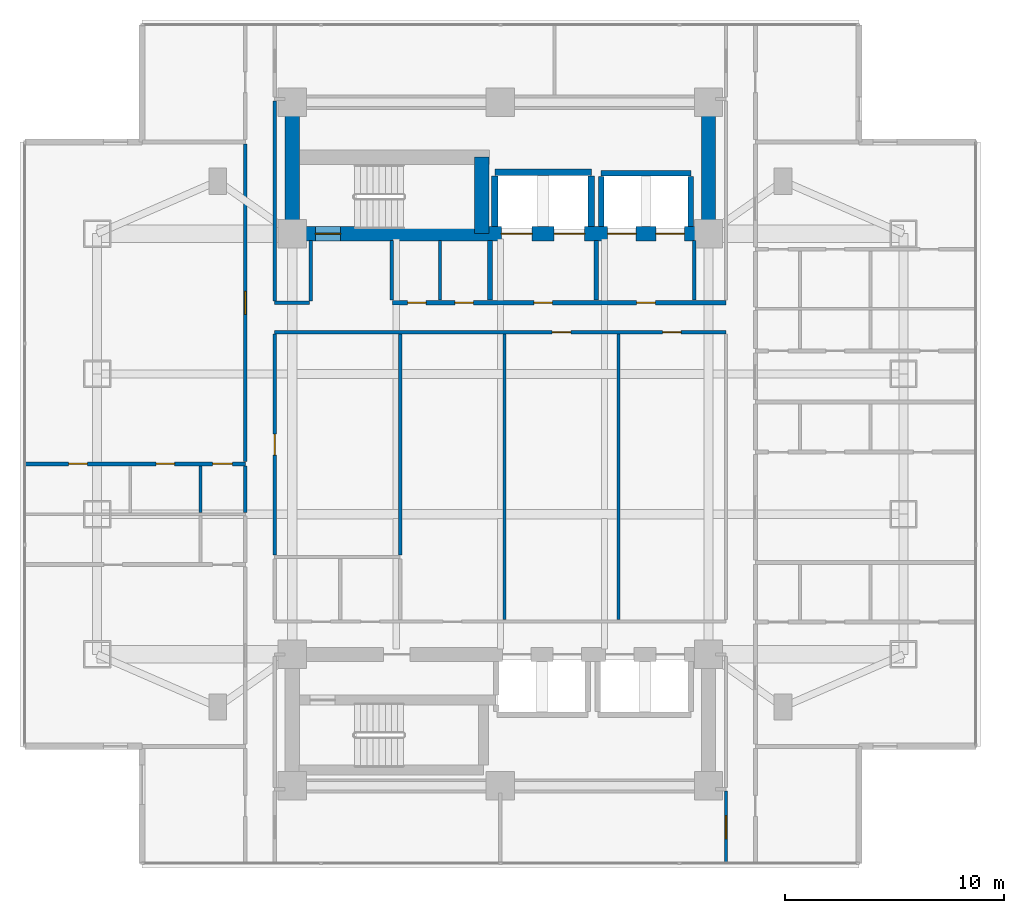
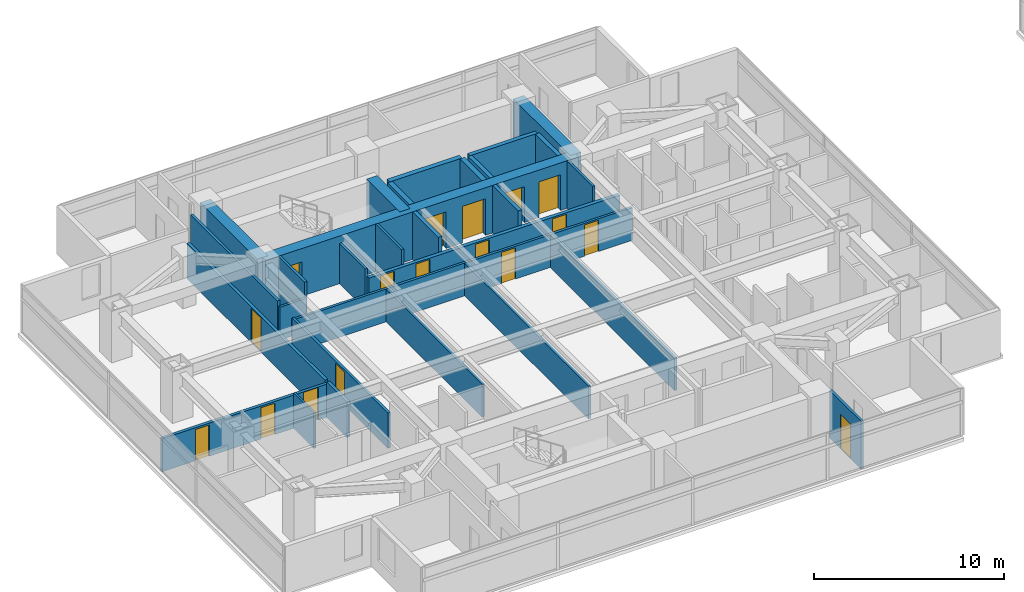
# One storey, part 14 of 24: 29 walls, 17 doors, 17 openings.
"""IFC4 building model written with IfcOpenShell, lengths in metres."""

import ifcopenshell
import ifcopenshell.guid

model = None  # the IFC model being written
_history = None  # IfcOwnerHistory: only IFC2X3 demands one
_inside = {}  # id of a spatial element -> (the spatial element, [elements in it])
_under = {}  # id of a project, library or spatial element -> (it, [spatial elements below it])
_declared = {}  # id of a project -> (the project, [libraries it declares])
_typed = {}  # id of a type object -> (the type object, [elements of that type])
_made_of = {}  # id of a material, layer set ... -> (it, [elements and type objects made of it])


def new_model(schema):
    """Start an empty IFC model of exactly this schema.

    Asked for "IFC4X3", IfcOpenShell would pick the latest addendum, in which some entities
    have other attributes; the version numbers below select the first issue.
    IFC2X3 requires an IfcOwnerHistory on every rooted entity: one is made here for all.
    """
    global model, _history
    if schema == "IFC4X3":
        model = ifcopenshell.file(schema_version=(4, 3, 0, 0))
    else:
        model = ifcopenshell.file(schema=schema)
    _inside.clear()
    _under.clear()
    _declared.clear()
    _typed.clear()
    _made_of.clear()
    _history = None
    if model.schema == "IFC2X3":
        org = make("IfcOrganization", Name="unknown")
        user = make(
            "IfcPersonAndOrganization",
            ThePerson=make("IfcPerson", FamilyName="unknown"),
            TheOrganization=org,
        )
        app = make(
            "IfcApplication",
            ApplicationDeveloper=org,
            Version="unknown",
            ApplicationFullName="unknown",
            ApplicationIdentifier="unknown",
        )
        _history = make(
            "IfcOwnerHistory",
            OwningUser=user,
            OwningApplication=app,
            ChangeAction="ADDED",
            CreationDate=0,
        )
    return model


def make(cls, **values):
    """One entity of the class cls with the attributes given. An attribute that is None is left unset."""
    return model.create_entity(
        cls, **{name: value for name, value in values.items() if value is not None}
    )


def rooted(cls, **values):
    """An entity with a GlobalId (a new one), such as an element, a storey or a relation."""
    return make(cls, GlobalId=ifcopenshell.guid.new(), OwnerHistory=_history, **values)


def si_unit(unit_type, name, prefix=None):
    """IfcSIUnit, for example si_unit("LENGTHUNIT", "METRE", prefix="MILLI")."""
    return make("IfcSIUnit", UnitType=unit_type, Prefix=prefix, Name=name)


def assignment(units):
    """IfcUnitAssignment: the units of a project."""
    return None if units is None else make("IfcUnitAssignment", Units=units)


def point(xyz):
    """IfcCartesianPoint."""
    return None if xyz is None else make("IfcCartesianPoint", Coordinates=xyz)


def direction(xyz):
    """IfcDirection."""
    return None if xyz is None else make("IfcDirection", DirectionRatios=xyz)


def frame(location, z_axis=None, x_axis=None):
    """IfcAxis2Placement3D, a coordinate frame: its origin and axes. An axis left out is left unset."""
    return make(
        "IfcAxis2Placement3D",
        Location=point(location),
        Axis=direction(z_axis),
        RefDirection=direction(x_axis),
    )


def frame_2d(location, x_axis=None):
    """IfcAxis2Placement2D, a coordinate frame in the plane: its origin and x axis."""
    return make(
        "IfcAxis2Placement2D", Location=point(location), RefDirection=direction(x_axis)
    )


def origin():
    """The frame at (0, 0, 0) with its axes left unset."""
    return frame((0.0, 0.0, 0.0))


def place(relative_to, where):
    """IfcLocalPlacement: puts the frame where relative to a parent placement (None: the world)."""
    return make(
        "IfcLocalPlacement", PlacementRelTo=relative_to, RelativePlacement=where
    )


def context(
    kind, dimensions, precision=None, world=None, true_north=None, identifier=None
):
    """IfcGeometricRepresentationContext, for example the 3D "Model" context."""
    return make(
        "IfcGeometricRepresentationContext",
        ContextIdentifier=identifier,
        ContextType=kind,
        CoordinateSpaceDimension=dimensions,
        Precision=precision,
        WorldCoordinateSystem=world,
        TrueNorth=true_north,
    )


def subcontext(parent, identifier, kind, view, scale=None):
    """IfcGeometricRepresentationSubContext, for example "Body" below "Model"."""
    return make(
        "IfcGeometricRepresentationSubContext",
        ContextIdentifier=identifier,
        ContextType=kind,
        ParentContext=parent,
        TargetScale=scale,
        TargetView=view,
    )


def project(units=None, contexts=None):
    """IfcProject with its units and contexts."""
    return rooted(
        "IfcProject",
        Name="project",
        RepresentationContexts=contexts,
        UnitsInContext=assignment(units),
    )


def spatial(cls, under=None, at=None, **own):
    """A site, building, storey or space (cls), placed at a placement, below another one or the project."""
    s = rooted(cls, ObjectPlacement=at, **own)
    if under is not None:
        _under.setdefault(under.id(), (under, []))[1].append(s)
    return s


def profile(cls, at=None, kind="AREA", **sizes):
    """A parametric profile (cls). Its sizes go by their IFC names, for example OverallWidth=200.0."""
    return make(cls, ProfileType=kind, Position=at, **sizes)


def rectangle(**sizes):
    """IfcRectangleProfileDef."""
    return profile("IfcRectangleProfileDef", **sizes)


def extrude(swept, where, along, depth):
    """IfcExtrudedAreaSolid: the profile swept, set in the frame where, extruded along a direction by depth."""
    return make(
        "IfcExtrudedAreaSolid",
        SweptArea=swept,
        Position=where,
        ExtrudedDirection=direction(along),
        Depth=depth,
    )


def shape(context_of_items, identifier, shape_type, items):
    """IfcShapeRepresentation: the items that make up one representation, for example the "Body"."""
    return make(
        "IfcShapeRepresentation",
        ContextOfItems=context_of_items,
        RepresentationIdentifier=identifier,
        RepresentationType=shape_type,
        Items=items,
    )


def material(Name=None, Category=None):
    """IfcMaterial."""
    return make("IfcMaterial", Name=Name, Category=Category)


def layer(
    of_material, thickness, ventilated=None, Name=None, Category=None, Priority=None
):
    """IfcMaterialLayer: one layer of a wall or slab, of a material (None: an air gap)."""
    return make(
        "IfcMaterialLayer",
        Material=of_material,
        LayerThickness=thickness,
        IsVentilated=ventilated,
        Name=Name,
        Category=Category,
        Priority=Priority,
    )


def layer_set(layers, Name=None):
    """IfcMaterialLayerSet."""
    return make("IfcMaterialLayerSet", MaterialLayers=layers, LayerSetName=Name)


def made_of(thing, what):
    """Note that an element or type object is made of a material, layer set ...; save() writes the relation."""
    if what is not None:
        _made_of.setdefault(what.id(), (what, []))[1].append(thing)
    return thing


def type_object(cls, material=None, **own):
    """A type object (cls), such as IfcWallType, which elements share."""
    return made_of(rooted(cls, **own), material)


def element(
    cls,
    number,
    at=None,
    inside=None,
    cuts=None,
    type_object=None,
    material=None,
    context=None,
    identifier="Body",
    shape_type=None,
    held_by="IfcProductDefinitionShape",
    body=None,
    shapes=None,
    **own,
):
    """One element of the class cls, such as IfcWall. Its Tag is "e" and its number.

    at: its placement. inside: the storey or other place that contains it. cuts: it is an
    opening in that element (IfcRelVoidsElement). A single representation is given by context,
    identifier, shape_type and body (its items); several are given by shapes. held_by: the class
    of the entity that holds the representations. save() writes the other relations.
    """
    e = rooted(cls, Tag="e%d" % number, ObjectPlacement=at, **own)
    if body is not None:
        shapes = [shape(context, identifier, shape_type, body)]
    if shapes is not None:
        e.Representation = make(held_by, Representations=shapes)
    if inside is not None:
        _inside.setdefault(inside.id(), (inside, []))[1].append(e)
    if cuts is not None:
        rooted(
            "IfcRelVoidsElement", RelatingBuildingElement=cuts, RelatedOpeningElement=e
        )
    if type_object is not None:
        _typed.setdefault(type_object.id(), (type_object, []))[1].append(e)
    return made_of(e, material)


def fill(opening, filler):
    """IfcRelFillsElement: the door or window that sits in an opening."""
    return rooted(
        "IfcRelFillsElement",
        RelatingOpeningElement=opening,
        RelatedBuildingElement=filler,
    )


def aggregate(whole, parts):
    """IfcRelAggregates: a whole, such as a stair, and the parts it consists of."""
    return rooted("IfcRelAggregates", RelatingObject=whole, RelatedObjects=parts)


def save(model, path):
    """Write the relations noted so far, then the file.

    IfcRelAggregates (storeys below a building ...), IfcRelContainedInSpatialStructure (elements
    in a storey), IfcRelDefinesByType, IfcRelAssociatesMaterial and IfcRelDeclares: one each for
    every whole, place, type object, material and project.
    """
    for whole, parts in _under.values():
        aggregate(whole, parts)
    for where, things in _inside.values():
        rooted(
            "IfcRelContainedInSpatialStructure",
            RelatedElements=things,
            RelatingStructure=where,
        )
    for kind, things in _typed.values():
        rooted("IfcRelDefinesByType", RelatedObjects=things, RelatingType=kind)
    for what, things in _made_of.values():
        rooted("IfcRelAssociatesMaterial", RelatedObjects=things, RelatingMaterial=what)
    for by, libraries in _declared.values():
        rooted("IfcRelDeclares", RelatingContext=by, RelatedDefinitions=libraries)
    model.write(path)


model = new_model("IFC4")

# Units and contexts
model_context = context("Model", 3, precision=1e-05, world=origin(), true_north=direction((0.0, 1.0)))
body_context = subcontext(model_context, "Body", "Model", "MODEL_VIEW")
ifc_project = project(units=[si_unit("LENGTHUNIT", "METRE"), si_unit("AREAUNIT", "SQUARE_METRE"), si_unit("VOLUMEUNIT", "CUBIC_METRE"), si_unit("PLANEANGLEUNIT", "RADIAN"), si_unit("MASSUNIT", "GRAM", prefix="KILO")], contexts=[model_context])

# Site, building, storey
site_placement = place(None, origin())
site = spatial("IfcSite", under=ifc_project, at=site_placement, CompositionType="ELEMENT")
building_placement = place(site_placement, origin())
building = spatial("IfcBuilding", under=site, at=building_placement, Name="Mirazonda Arch Towers", CompositionType="ELEMENT")
storey_placement = place(building_placement, frame((0.0, 0.0, 65.300048828125)))
storey = spatial("IfcBuildingStorey", under=building, at=storey_placement, Name="L18", CompositionType="ELEMENT", Elevation=65.300048828125)

# Walls
ifc_material_1 = material(Name="Concrete C60/75", Category="concrete")
ifc_layer_1 = layer(ifc_material_1, 0.64990234375, Name="WALL-CORE-650")
ifc_layer_set_1 = layer_set([ifc_layer_1], Name="Concrete C60/75")
wall_type_1 = type_object("IfcWallType", Name="WALL-CORE-650", PredefinedType="SHEAR", material=ifc_layer_set_1)
for number, where, z_axis, x_axis, name in (
    (1, (11.0, 37.60009765625, 0.0), (0.0, 0.0, 1.0), (0.0, 1.0, 0.0), "L18 T1N-W Core Shear Wall"),
    (2, (30.0, 37.60009765625, 0.0), (0.0, 0.0, 1.0), (0.0, 1.0, 0.0), "L18 T1N-E Core Shear Wall"),
):
    element("IfcWall", number, at=place(storey_placement, frame(where, z_axis=z_axis, x_axis=x_axis)), inside=storey, type_object=wall_type_1, Name=name, PredefinedType="SHEAR", context=body_context, shape_type="SweptSolid", body=[
        extrude(rectangle(XDim=6.0, YDim=0.64990234375, at=frame_2d((3.0, 0.0))), origin(), (0.0, 0.0, 1.0), 3.06005859375),
    ])

# Wall, openings, doors
wall_1_placement = place(storey_placement, frame((11.0, 37.60009765625, 0.0), z_axis=(0.0, 0.0, 1.0), x_axis=(1.0, 0.0, 0.0)))
wall_1 = element("IfcWall", 3, at=wall_1_placement, inside=storey, type_object=wall_type_1, Name="L18 T1N-S Core Shear Wall", PredefinedType="SHEAR", context=body_context, shape_type="SweptSolid", body=[
    extrude(rectangle(XDim=19.0, YDim=0.64990234375, at=frame_2d((9.5, 0.0))), origin(), (0.0, 0.0, 1.0), 3.06005859375),
])
opening_1_placement = place(wall_1_placement, frame((1.06005859375, 0.0, 0.0)))
opening_1 = element("IfcOpeningElement", 4, at=opening_1_placement, cuts=wall_1, Name="Opening DR-135", PredefinedType="OPENING", context=body_context, shape_type="SweptSolid", body=[
    extrude(rectangle(XDim=1.14990234375, YDim=2.199951171875, at=frame_2d((0.574951171875, 1.10009765625))), frame((0.0, 0.3349609375, 0.0), z_axis=(0.0, -1.0, 0.0), x_axis=(1.0, 0.0, 0.0)), (0.0, 0.0, 1.0), 0.669921875),
])
opening_2_placement = place(wall_1_placement, frame((9.550048828125, 0.0, 0.0)))
opening_2 = element("IfcOpeningElement", 5, at=opening_2_placement, cuts=wall_1, Name="Opening LD-112", PredefinedType="OPENING", context=body_context, shape_type="SweptSolid", body=[
    extrude(rectangle(XDim=1.39990234375, YDim=2.35009765625, at=frame_2d((0.699951171875, 1.175048828125))), frame((0.0, 0.3349609375, 0.0), z_axis=(0.0, -1.0, 0.0), x_axis=(1.0, 0.0, 0.0)), (0.0, 0.0, 1.0), 0.669921875),
])
opening_3_placement = place(wall_1_placement, frame((11.949951171875, 0.0, 0.0)))
opening_3 = element("IfcOpeningElement", 6, at=opening_3_placement, cuts=wall_1, Name="Opening LD-112", PredefinedType="OPENING", context=body_context, shape_type="SweptSolid", body=[
    extrude(rectangle(XDim=1.39990234375, YDim=2.35009765625, at=frame_2d((0.699951171875, 1.175048828125))), frame((0.0, 0.3349609375, 0.0), z_axis=(0.0, -1.0, 0.0), x_axis=(1.0, 0.0, 0.0)), (0.0, 0.0, 1.0), 0.669921875),
])
opening_4_placement = place(wall_1_placement, frame((14.39990234375, 0.0, 0.0)))
opening_4 = element("IfcOpeningElement", 7, at=opening_4_placement, cuts=wall_1, Name="Opening LD-111", PredefinedType="OPENING", context=body_context, shape_type="SweptSolid", body=[
    extrude(rectangle(XDim=1.300048828125, YDim=2.300048828125, at=frame_2d((0.64990234375, 1.14990234375))), frame((0.0, 0.3349609375, 0.0), z_axis=(0.0, -1.0, 0.0), x_axis=(1.0, 0.0, 0.0)), (0.0, 0.0, 1.0), 0.669921875),
])
opening_5_placement = place(wall_1_placement, frame((16.60009765625, 0.0, 0.0)))
opening_5 = element("IfcOpeningElement", 8, at=opening_5_placement, cuts=wall_1, Name="Opening LD-111", PredefinedType="OPENING", context=body_context, shape_type="SweptSolid", body=[
    extrude(rectangle(XDim=1.300048828125, YDim=2.300048828125, at=frame_2d((0.64990234375, 1.14990234375))), frame((0.0, 0.3349609375, 0.0), z_axis=(0.0, -1.0, 0.0), x_axis=(1.0, 0.0, 0.0)), (0.0, 0.0, 1.0), 0.669921875),
])
ifc_material_2 = material(Name="Architectural Brushed Steel S355", Category="steel")
door_type_1 = type_object("IfcDoorType", Name="DOOR-LIFT-FFL-1400", OperationType="NOTDEFINED", PredefinedType="DOOR", material=ifc_material_2)
door_1_placement = place(opening_2_placement, origin())
door_1 = element("IfcDoor", 9, at=door_1_placement, inside=storey, type_object=door_type_1, Name="L18 Lift Landing Sliding Door FFL-T1", OperationType="DOUBLE_DOOR_SLIDING", OverallHeight=2.35009765625, OverallWidth=1.39990234375, PredefinedType="DOOR", context=body_context, shape_type="SweptSolid", body=[
    extrude(rectangle(XDim=1.39990234375, YDim=2.35009765625, at=frame_2d((0.699951171875, 1.175048828125))), frame((0.0, 0.02490234375, 0.0), z_axis=(0.0, -1.0, 0.0), x_axis=(1.0, 0.0, 0.0)), (0.0, 0.0, 1.0), 0.050048828125),
])
fill(opening_2, door_1)
door_2_placement = place(opening_3_placement, origin())
door_2 = element("IfcDoor", 10, at=door_2_placement, inside=storey, type_object=door_type_1, Name="L18 Lift Landing Sliding Door SVL-T1", OperationType="DOUBLE_DOOR_SLIDING", OverallHeight=2.35009765625, OverallWidth=1.39990234375, PredefinedType="DOOR", context=body_context, shape_type="SweptSolid", body=[
    extrude(rectangle(XDim=1.39990234375, YDim=2.35009765625, at=frame_2d((0.699951171875, 1.175048828125))), frame((0.0, 0.02490234375, 0.0), z_axis=(0.0, -1.0, 0.0), x_axis=(1.0, 0.0, 0.0)), (0.0, 0.0, 1.0), 0.050048828125),
])
fill(opening_3, door_2)
door_type_2 = type_object("IfcDoorType", Name="DOOR-LIFT-LAND-1300", OperationType="NOTDEFINED", PredefinedType="DOOR", material=ifc_material_2)
door_3_placement = place(opening_4_placement, origin())
door_3 = element("IfcDoor", 11, at=door_3_placement, inside=storey, type_object=door_type_2, Name="L18 Lift Landing Sliding Door PL-T1L1", OperationType="DOUBLE_DOOR_SLIDING", OverallHeight=2.300048828125, OverallWidth=1.300048828125, PredefinedType="DOOR", context=body_context, shape_type="SweptSolid", body=[
    extrude(rectangle(XDim=1.300048828125, YDim=2.300048828125, at=frame_2d((0.64990234375, 1.14990234375))), frame((0.0, 0.02490234375, 0.0), z_axis=(0.0, -1.0, 0.0), x_axis=(1.0, 0.0, 0.0)), (0.0, 0.0, 1.0), 0.050048828125),
])
fill(opening_4, door_3)
door_4_placement = place(opening_5_placement, origin())
door_4 = element("IfcDoor", 12, at=door_4_placement, inside=storey, type_object=door_type_2, Name="L18 Lift Landing Sliding Door PL-T1L2", OperationType="DOUBLE_DOOR_SLIDING", OverallHeight=2.300048828125, OverallWidth=1.300048828125, PredefinedType="DOOR", context=body_context, shape_type="SweptSolid", body=[
    extrude(rectangle(XDim=1.300048828125, YDim=2.300048828125, at=frame_2d((0.64990234375, 1.14990234375))), frame((0.0, 0.02490234375, 0.0), z_axis=(0.0, -1.0, 0.0), x_axis=(1.0, 0.0, 0.0)), (0.0, 0.0, 1.0), 0.050048828125),
])
fill(opening_5, door_4)
door_type_3 = type_object("IfcDoorType", Name="DOOR-STAIR-FD90-1150", OperationType="NOTDEFINED", PredefinedType="DOOR", material=ifc_material_2)
door_5_placement = place(opening_1_placement, origin())
door_5 = element("IfcDoor", 13, at=door_5_placement, inside=storey, type_object=door_type_3, Name="L18 Protected Exit Stair North Door", OperationType="SINGLE_SWING_RIGHT", OverallHeight=2.199951171875, OverallWidth=1.14990234375, PredefinedType="DOOR", context=body_context, shape_type="SweptSolid", body=[
    extrude(rectangle(XDim=1.14990234375, YDim=2.199951171875, at=frame_2d((0.574951171875, 1.10009765625))), frame((0.0, 0.02490234375, 0.0), z_axis=(0.0, -1.0, 0.0), x_axis=(1.0, 0.0, 0.0)), (0.0, 0.0, 1.0), 0.050048828125),
])
fill(opening_1, door_5)

# Wall
wall_2_placement = place(storey_placement, frame((19.64990234375, 37.60009765625, 0.0), z_axis=(0.0, 0.0, 1.0), x_axis=(0.0, 1.0, 0.0)))
element("IfcWall", 14, at=wall_2_placement, inside=storey, type_object=wall_type_1, Name="L18 T1N-STE Core Shear Wall", PredefinedType="SHEAR", context=body_context, shape_type="SweptSolid", body=[
    extrude(rectangle(XDim=3.492919921875, YDim=0.64990234375, at=frame_2d((1.74658203125, 0.0))), origin(), (0.0, 0.0, 1.0), 3.06005859375),
])

# Wall, openings, doors
ifc_material_3 = material(Name="Concrete C40/50", Category="concrete")
ifc_layer_2 = layer(ifc_material_3, 0.219970703125, Name="WALL-FFL-220")
ifc_layer_set_2 = layer_set([ifc_layer_2], Name="Concrete C40/50")
wall_type_2 = type_object("IfcWallType", Name="WALL-FFL-220", PredefinedType="SOLIDWALL", material=ifc_layer_set_2)
wall_3_placement = place(storey_placement, frame((15.590087890625, 34.449951171875, 0.0), z_axis=(0.0, 0.0, 1.0), x_axis=(1.0, 0.0, 0.0)))
wall_3 = element("IfcWall", 15, at=wall_3_placement, inside=storey, type_object=wall_type_2, Name="L18 Interior Partition 041", PredefinedType="SOLIDWALL", context=body_context, shape_type="SweptSolid", body=[
    extrude(rectangle(XDim=15.2099609375, YDim=0.219970703125, at=frame_2d((7.60498046875, 0.0))), origin(), (0.0, 0.0, 1.0), 2.10400390625),
])
opening_6_placement = place(wall_3_placement, frame((6.43505859375, 0.0, 0.0)))
opening_6 = element("IfcOpeningElement", 16, at=opening_6_placement, cuts=wall_3, Name="Opening DR-128", PredefinedType="OPENING", context=body_context, shape_type="SweptSolid", body=[
    extrude(rectangle(XDim=0.85009765625, YDim=2.010009765625, at=frame_2d((0.425048828125, 1.0048828125))), frame((0.0, 0.119873046875, 0.0), z_axis=(0.0, -1.0, 0.0), x_axis=(1.0, 0.0, 0.0)), (0.0, 0.0, 1.0), 0.239990234375),
])
opening_7_placement = place(wall_3_placement, frame((11.135009765625, 0.0, 0.0)))
opening_7 = element("IfcOpeningElement", 17, at=opening_7_placement, cuts=wall_3, Name="Opening DR-128", PredefinedType="OPENING", context=body_context, shape_type="SweptSolid", body=[
    extrude(rectangle(XDim=0.85009765625, YDim=2.010009765625, at=frame_2d((0.425048828125, 1.0048828125))), frame((0.0, 0.119873046875, 0.0), z_axis=(0.0, -1.0, 0.0), x_axis=(1.0, 0.0, 0.0)), (0.0, 0.0, 1.0), 0.239990234375),
])
opening_8_placement = place(wall_3_placement, frame((0.675048828125, 0.0, 0.0)))
opening_8 = element("IfcOpeningElement", 18, at=opening_8_placement, cuts=wall_3, Name="Opening DR-128", PredefinedType="OPENING", context=body_context, shape_type="SweptSolid", body=[
    extrude(rectangle(XDim=0.85009765625, YDim=2.010009765625, at=frame_2d((0.425048828125, 1.0048828125))), frame((0.0, 0.119873046875, 0.0), z_axis=(0.0, -1.0, 0.0), x_axis=(1.0, 0.0, 0.0)), (0.0, 0.0, 1.0), 0.239990234375),
])
opening_9_placement = place(wall_3_placement, frame((2.8349609375, 0.0, 0.0)))
opening_9 = element("IfcOpeningElement", 19, at=opening_9_placement, cuts=wall_3, Name="Opening DR-128", PredefinedType="OPENING", context=body_context, shape_type="SweptSolid", body=[
    extrude(rectangle(XDim=0.85009765625, YDim=2.010009765625, at=frame_2d((0.425048828125, 1.0048828125))), frame((0.0, 0.119873046875, 0.0), z_axis=(0.0, -1.0, 0.0), x_axis=(1.0, 0.0, 0.0)), (0.0, 0.0, 1.0), 0.239990234375),
])
door_type_4 = type_object("IfcDoorType", Name="DOOR-RISER-FD60-850", OperationType="NOTDEFINED", PredefinedType="DOOR", material=ifc_material_2)
door_6_placement = place(opening_6_placement, origin())
door_6 = element("IfcDoor", 20, at=door_6_placement, inside=storey, type_object=door_type_4, Name="L18 Firefighting Lift Lobby Door", OperationType="SINGLE_SWING_LEFT", OverallHeight=2.010009765625, OverallWidth=0.85009765625, PredefinedType="DOOR", context=body_context, shape_type="SweptSolid", body=[
    extrude(rectangle(XDim=0.85009765625, YDim=2.010009765625, at=frame_2d((0.425048828125, 1.0048828125))), frame((0.0, 0.02490234375, 0.0), z_axis=(0.0, -1.0, 0.0), x_axis=(1.0, 0.0, 0.0)), (0.0, 0.0, 1.0), 0.050048828125),
])
fill(opening_6, door_6)
door_7_placement = place(opening_7_placement, origin())
door_7 = element("IfcDoor", 21, at=door_7_placement, inside=storey, type_object=door_type_4, Name="L18 Passenger Lift Lobby North Door", OperationType="SINGLE_SWING_RIGHT", OverallHeight=2.010009765625, OverallWidth=0.85009765625, PredefinedType="DOOR", context=body_context, shape_type="SweptSolid", body=[
    extrude(rectangle(XDim=0.85009765625, YDim=2.010009765625, at=frame_2d((0.425048828125, 1.0048828125))), frame((0.0, 0.02490234375, 0.0), z_axis=(0.0, -1.0, 0.0), x_axis=(1.0, 0.0, 0.0)), (0.0, 0.0, 1.0), 0.050048828125),
])
fill(opening_7, door_7)
door_8_placement = place(opening_8_placement, origin())
door_8 = element("IfcDoor", 22, at=door_8_placement, inside=storey, type_object=door_type_4, Name="L18 Electrical Room Door", OperationType="SINGLE_SWING_LEFT", OverallHeight=2.010009765625, OverallWidth=0.85009765625, PredefinedType="DOOR", context=body_context, shape_type="SweptSolid", body=[
    extrude(rectangle(XDim=0.85009765625, YDim=2.010009765625, at=frame_2d((0.425048828125, 1.0048828125))), frame((0.0, 0.02490234375, 0.0), z_axis=(0.0, -1.0, 0.0), x_axis=(1.0, 0.0, 0.0)), (0.0, 0.0, 1.0), 0.050048828125),
])
fill(opening_8, door_8)
door_9_placement = place(opening_9_placement, origin())
door_9 = element("IfcDoor", 23, at=door_9_placement, inside=storey, type_object=door_type_4, Name="L18 Cleaners & Housekeeping Store Door", OperationType="SINGLE_SWING_RIGHT", OverallHeight=2.010009765625, OverallWidth=0.85009765625, PredefinedType="DOOR", context=body_context, shape_type="SweptSolid", body=[
    extrude(rectangle(XDim=0.85009765625, YDim=2.010009765625, at=frame_2d((0.425048828125, 1.0048828125))), frame((0.0, 0.02490234375, 0.0), z_axis=(0.0, -1.0, 0.0), x_axis=(1.0, 0.0, 0.0)), (0.0, 0.0, 1.0), 0.050048828125),
])
fill(opening_9, door_9)

# Walls
for number, where, z_axis, x_axis, name in (
    (24, (20.02490234375, 34.570068359375, 0.0), (0.0, 0.0, 1.0), (0.0, 1.0, 0.0), "L18 Interior Partition 080"),
    (25, (24.875, 34.570068359375, 0.0), (0.0, 0.0, 1.0), (0.0, 1.0, 0.0), "L18 Interior Partition 090"),
):
    element("IfcWall", number, at=place(storey_placement, frame(where, z_axis=z_axis, x_axis=x_axis)), inside=storey, type_object=wall_type_2, Name=name, PredefinedType="SOLIDWALL", context=body_context, shape_type="SweptSolid", body=[
        extrude(rectangle(XDim=2.7099609375, YDim=0.219970703125, at=frame_2d((1.35498046875, 0.0))), origin(), (0.0, 0.0, 1.0), 3.06005859375),
    ])

# Wall, openings, doors
ifc_material_4 = material(Name="Fire-Rated Gypsum Stud Partition")
ifc_layer_3 = layer(ifc_material_4, 0.14990234375, Name="WALL-PART-CORR-150")
ifc_layer_set_3 = layer_set([ifc_layer_3], Name="Fire-Rated Gypsum Stud Partition")
wall_type_3 = type_object("IfcWallType", Name="WALL-PART-CORR-150", PredefinedType="PARTITIONING", material=ifc_layer_set_3)
wall_4_placement = place(storey_placement, frame((10.199951171875, 33.10009765625, 0.0), z_axis=(0.0, 0.0, 1.0), x_axis=(1.0, 0.0, 0.0)))
wall_4 = element("IfcWall", 26, at=wall_4_placement, inside=storey, type_object=wall_type_3, Name="L18 Interior Partition 038", PredefinedType="PARTITIONING", context=body_context, shape_type="SweptSolid", body=[
    extrude(rectangle(XDim=20.60009765625, YDim=0.14990234375, at=frame_2d((10.300048828125, 0.0))), origin(), (0.0, 0.0, 1.0), 2.10400390625),
])
opening_10_placement = place(wall_4_placement, frame((12.66552734375, 0.0, 0.0)))
opening_10 = element("IfcOpeningElement", 27, at=opening_10_placement, cuts=wall_4, Name="Opening DR-128", PredefinedType="OPENING", context=body_context, shape_type="SweptSolid", body=[
    extrude(rectangle(XDim=0.85009765625, YDim=2.010009765625, at=frame_2d((0.425048828125, 1.0048828125))), frame((0.0, 0.0849609375, 0.0), z_axis=(0.0, -1.0, 0.0), x_axis=(1.0, 0.0, 0.0)), (0.0, 0.0, 1.0), 0.169921875),
])
opening_11_placement = place(wall_4_placement, frame((17.701416015625, 0.0, 0.0)))
opening_11 = element("IfcOpeningElement", 28, at=opening_11_placement, cuts=wall_4, Name="Opening DR-128", PredefinedType="OPENING", context=body_context, shape_type="SweptSolid", body=[
    extrude(rectangle(XDim=0.85009765625, YDim=2.010009765625, at=frame_2d((0.425048828125, 1.0048828125))), frame((0.0, 0.0849609375, 0.0), z_axis=(0.0, -1.0, 0.0), x_axis=(1.0, 0.0, 0.0)), (0.0, 0.0, 1.0), 0.169921875),
])
door_10_placement = place(opening_10_placement, origin())
door_10 = element("IfcDoor", 29, at=door_10_placement, inside=storey, type_object=door_type_4, Name="L18 Private Dining Room Door", OperationType="SINGLE_SWING_RIGHT", OverallHeight=2.010009765625, OverallWidth=0.85009765625, PredefinedType="DOOR", context=body_context, shape_type="SweptSolid", body=[
    extrude(rectangle(XDim=0.85009765625, YDim=2.010009765625, at=frame_2d((0.425048828125, 1.0048828125))), frame((0.0, 0.02490234375, 0.0), z_axis=(0.0, -1.0, 0.0), x_axis=(1.0, 0.0, 0.0)), (0.0, 0.0, 1.0), 0.050048828125),
])
fill(opening_10, door_10)
door_11_placement = place(opening_11_placement, origin())
door_11 = element("IfcDoor", 30, at=door_11_placement, inside=storey, type_object=door_type_4, Name="L18 Collectors Gallery Study Door", OperationType="SINGLE_SWING_LEFT", OverallHeight=2.010009765625, OverallWidth=0.85009765625, PredefinedType="DOOR", context=body_context, shape_type="SweptSolid", body=[
    extrude(rectangle(XDim=0.85009765625, YDim=2.010009765625, at=frame_2d((0.425048828125, 1.0048828125))), frame((0.0, 0.02490234375, 0.0), z_axis=(0.0, -1.0, 0.0), x_axis=(1.0, 0.0, 0.0)), (0.0, 0.0, 1.0), 0.050048828125),
])
fill(opening_11, door_11)

# Wall
wall_5_placement = place(storey_placement, frame((10.199951171875, 34.449951171875, 0.0), z_axis=(0.0, 0.0, 1.0), x_axis=(1.0, 0.0, 0.0)))
element("IfcWall", 31, at=wall_5_placement, inside=storey, type_object=wall_type_3, Name="L18 Interior Partition 040", PredefinedType="PARTITIONING", context=body_context, shape_type="SweptSolid", body=[
    extrude(rectangle(XDim=1.60009765625, YDim=0.14990234375, at=frame_2d((0.800048828125, 0.0))), origin(), (0.0, 0.0, 1.0), 2.10400390625),
])

# Wall, opening, door
wall_6_placement = place(storey_placement, frame((10.206787109375, 22.93505859375, 0.0), z_axis=(0.0, 0.0, 1.0), x_axis=(0.0, 1.0, 0.0)))
wall_6 = element("IfcWall", 32, at=wall_6_placement, inside=storey, type_object=wall_type_3, Name="L18 Interior Partition 070", PredefinedType="PARTITIONING", context=body_context, shape_type="SweptSolid", body=[
    extrude(rectangle(XDim=10.079833984375, YDim=0.14990234375, at=frame_2d((5.0400390625, 0.0))), origin(), (0.0, 0.0, 1.0), 2.279052734375),
])
opening_12_placement = place(wall_6_placement, frame((4.56494140625, 0.0, 0.0)))
opening_12 = element("IfcOpeningElement", 33, at=opening_12_placement, cuts=wall_6, Name="Opening DR-104", PredefinedType="OPENING", context=body_context, shape_type="SweptSolid", body=[
    extrude(rectangle(XDim=0.949951171875, YDim=2.14990234375, at=frame_2d((0.47509765625, 1.074951171875))), frame((0.0, 0.0849609375, 0.0), z_axis=(0.0, -1.0, 0.0), x_axis=(1.0, 0.0, 0.0)), (0.0, 0.0, 1.0), 0.169921875),
])
door_type_5 = type_object("IfcDoorType", Name="DOOR-ROOM-950", OperationType="NOTDEFINED", PredefinedType="DOOR", material=ifc_material_2)
door_12_placement = place(opening_12_placement, origin())
door_12 = element("IfcDoor", 34, at=door_12_placement, inside=storey, type_object=door_type_5, Name="L18 L18 West Courtyard Salon Door", OperationType="SINGLE_SWING_RIGHT", OverallHeight=2.14990234375, OverallWidth=0.949951171875, PredefinedType="DOOR", context=body_context, shape_type="SweptSolid", body=[
    extrude(rectangle(XDim=0.949951171875, YDim=2.14990234375, at=frame_2d((0.47509765625, 1.074951171875))), frame((0.0, 0.02490234375, 0.0), z_axis=(0.0, -1.0, 0.0), x_axis=(1.0, 0.0, 0.0)), (0.0, 0.0, 1.0), 0.050048828125),
])
fill(opening_12, door_12)

# Walls
wall_7_placement = place(storey_placement, frame((10.199951171875, 34.534912109375, 0.0), z_axis=(0.0, 0.0, 1.0), x_axis=(0.0, 1.0, 0.0)))
element("IfcWall", 35, at=wall_7_placement, inside=storey, type_object=wall_type_3, Name="L18 Interior Partition 071", PredefinedType="PARTITIONING", context=body_context, shape_type="SweptSolid", body=[
    extrude(rectangle(XDim=9.130126953125, YDim=0.14990234375, at=frame_2d((4.56494140625, 0.0))), origin(), (0.0, 0.0, 1.0), 2.43603515625),
])
wall_8_placement = place(storey_placement, frame((11.85009765625, 34.534912109375, 0.0), z_axis=(0.0, 0.0, 1.0), x_axis=(0.0, 1.0, 0.0)))
element("IfcWall", 36, at=wall_8_placement, inside=storey, type_object=wall_type_3, Name="L18 Interior Partition 073", PredefinedType="PARTITIONING", context=body_context, shape_type="SweptSolid", body=[
    extrude(rectangle(XDim=2.7451171875, YDim=0.14990234375, at=frame_2d((1.37255859375, 0.0))), origin(), (0.0, 0.0, 1.0), 3.06005859375),
])
wall_9_placement = place(storey_placement, frame((15.550048828125, 34.570068359375, 0.0), z_axis=(0.0, 0.0, 1.0), x_axis=(0.0, 1.0, 0.0)))
element("IfcWall", 37, at=wall_9_placement, inside=storey, type_object=wall_type_3, Name="L18 Interior Partition 075", PredefinedType="PARTITIONING", context=body_context, shape_type="SweptSolid", body=[
    extrude(rectangle(XDim=2.7099609375, YDim=0.14990234375, at=frame_2d((1.35498046875, 0.0))), origin(), (0.0, 0.0, 1.0), 2.5888671875),
])
wall_10_placement = place(storey_placement, frame((15.929931640625, 22.93505859375, 0.0), z_axis=(0.0, 0.0, 1.0), x_axis=(0.0, 1.0, 0.0)))
element("IfcWall", 38, at=wall_10_placement, inside=storey, type_object=wall_type_3, Name="L18 Interior Partition 077", PredefinedType="PARTITIONING", context=body_context, shape_type="SweptSolid", body=[
    extrude(rectangle(XDim=10.079833984375, YDim=0.14990234375, at=frame_2d((5.0400390625, 0.0))), origin(), (0.0, 0.0, 1.0), 2.10400390625),
])
wall_11_placement = place(storey_placement, frame((17.75, 34.570068359375, 0.0), z_axis=(0.0, 0.0, 1.0), x_axis=(0.0, 1.0, 0.0)))
element("IfcWall", 39, at=wall_11_placement, inside=storey, type_object=wall_type_3, Name="L18 Interior Partition 078", PredefinedType="PARTITIONING", context=body_context, shape_type="SweptSolid", body=[
    extrude(rectangle(XDim=2.7099609375, YDim=0.14990234375, at=frame_2d((1.35498046875, 0.0))), origin(), (0.0, 0.0, 1.0), 3.06005859375),
])
for number, where, z_axis, x_axis, name in (
    (40, (20.68798828125, 19.985107421875, 0.0), (0.0, 0.0, 1.0), (0.0, 1.0, 0.0), "L18 Interior Partition 085"),
    (41, (25.89306640625, 19.985107421875, 0.0), (0.0, 0.0, 1.0), (0.0, 1.0, 0.0), "L18 Interior Partition 092"),
):
    element("IfcWall", number, at=place(storey_placement, frame(where, z_axis=z_axis, x_axis=x_axis)), inside=storey, type_object=wall_type_3, Name=name, PredefinedType="PARTITIONING", context=body_context, shape_type="SweptSolid", body=[
        extrude(rectangle(XDim=13.02978515625, YDim=0.14990234375, at=frame_2d((6.514892578125, 0.0))), origin(), (0.0, 0.0, 1.0), 2.10400390625),
    ])
wall_12_placement = place(storey_placement, frame((29.35009765625, 34.570068359375, 0.0), z_axis=(0.0, 0.0, 1.0), x_axis=(0.0, 1.0, 0.0)))
element("IfcWall", 42, at=wall_12_placement, inside=storey, type_object=wall_type_3, Name="L18 Interior Partition 094", PredefinedType="PARTITIONING", context=body_context, shape_type="SweptSolid", body=[
    extrude(rectangle(XDim=2.7099609375, YDim=0.14990234375, at=frame_2d((1.35498046875, 0.0))), origin(), (0.0, 0.0, 1.0), 3.06005859375),
])

# Wall, opening, door
wall_13_placement = place(storey_placement, frame((30.800048828125, 8.867919921875, 0.0), z_axis=(0.0, 0.0, 1.0), x_axis=(0.0, 1.0, 0.0)))
wall_13 = element("IfcWall", 43, at=wall_13_placement, inside=storey, type_object=wall_type_3, Name="L18 Interior Partition 096", PredefinedType="PARTITIONING", context=body_context, shape_type="SweptSolid", body=[
    extrude(rectangle(XDim=3.297119140625, YDim=0.14990234375, at=frame_2d((1.6484375, 0.0))), origin(), (0.0, 0.0, 1.0), 3.06005859375),
])
opening_13_placement = place(wall_13_placement, frame((1.12353515625, 0.0, 0.0)))
opening_13 = element("IfcOpeningElement", 44, at=opening_13_placement, cuts=wall_13, Name="Opening DR-121", PredefinedType="OPENING", context=body_context, shape_type="SweptSolid", body=[
    extrude(rectangle(XDim=1.050048828125, YDim=2.199951171875, at=frame_2d((0.52490234375, 1.10009765625))), frame((0.0, 0.0849609375, 0.0), z_axis=(0.0, -1.0, 0.0), x_axis=(1.0, 0.0, 0.0)), (0.0, 0.0, 1.0), 0.169921875),
])
door_type_6 = type_object("IfcDoorType", Name="DOOR-SUITE-FD60-1050", OperationType="NOTDEFINED", PredefinedType="DOOR", material=ifc_material_2)
door_13_placement = place(opening_13_placement, origin())
door_13 = element("IfcDoor", 45, at=door_13_placement, inside=storey, type_object=door_type_6, Name="L18 South Panoramic Study East Door", OperationType="SINGLE_SWING_LEFT", OverallHeight=2.199951171875, OverallWidth=1.050048828125, PredefinedType="DOOR", context=body_context, shape_type="SweptSolid", body=[
    extrude(rectangle(XDim=1.050048828125, YDim=2.199951171875, at=frame_2d((0.52490234375, 1.10009765625))), frame((0.0, 0.02490234375, 0.0), z_axis=(0.0, -1.0, 0.0), x_axis=(1.0, 0.0, 0.0)), (0.0, 0.0, 1.0), 0.050048828125),
])
fill(opening_13, door_13)

# Wall, openings, doors
ifc_material_5 = material(Name="Fire-Rated Gypsum Twin-Stud Assembly")
ifc_layer_4 = layer(ifc_material_5, 0.179931640625, Name="WALL-PART-DEMISE-180")
ifc_layer_set_4 = layer_set([ifc_layer_4], Name="Fire-Rated Gypsum Twin-Stud Assembly")
wall_type_4 = type_object("IfcWallType", Name="WALL-PART-DEMISE-180", PredefinedType="PARTITIONING", material=ifc_layer_set_4)
wall_14_placement = place(storey_placement, frame((-1.199951171875, 27.10009765625, 0.0), z_axis=(0.0, 0.0, 1.0), x_axis=(1.0, 0.0, 0.0)))
wall_14 = element("IfcWall", 46, at=wall_14_placement, inside=storey, type_object=wall_type_4, Name="L18 Interior Partition 030", PredefinedType="PARTITIONING", context=body_context, shape_type="SweptSolid", body=[
    extrude(rectangle(XDim=10.06005859375, YDim=0.179931640625, at=frame_2d((5.030029296875, 0.0))), origin(), (0.0, 0.0, 1.0), 2.125),
])
opening_14_placement = place(wall_14_placement, frame((2.0009765625, 0.0, 0.0)))
opening_14 = element("IfcOpeningElement", 47, at=opening_14_placement, cuts=wall_14, Name="Opening DR-128", PredefinedType="OPENING", context=body_context, shape_type="SweptSolid", body=[
    extrude(rectangle(XDim=0.85009765625, YDim=2.010009765625, at=frame_2d((0.425048828125, 1.0048828125))), frame((0.0, 0.099853515625, 0.0), z_axis=(0.0, -1.0, 0.0), x_axis=(1.0, 0.0, 0.0)), (0.0, 0.0, 1.0), 0.199951171875),
])
opening_15_placement = place(wall_14_placement, frame((5.990966796875, 0.0, 0.0)))
opening_15 = element("IfcOpeningElement", 48, at=opening_15_placement, cuts=wall_14, Name="Opening DR-128", PredefinedType="OPENING", context=body_context, shape_type="SweptSolid", body=[
    extrude(rectangle(XDim=0.85009765625, YDim=2.010009765625, at=frame_2d((0.425048828125, 1.0048828125))), frame((0.0, 0.099853515625, 0.0), z_axis=(0.0, -1.0, 0.0), x_axis=(1.0, 0.0, 0.0)), (0.0, 0.0, 1.0), 0.199951171875),
])
opening_16_placement = place(wall_14_placement, frame((8.570068359375, 0.0, 0.0)))
opening_16 = element("IfcOpeningElement", 49, at=opening_16_placement, cuts=wall_14, Name="Opening DR-120", PredefinedType="OPENING", context=body_context, shape_type="SweptSolid", body=[
    extrude(rectangle(XDim=0.89990234375, YDim=2.10009765625, at=frame_2d((0.449951171875, 1.050048828125))), frame((0.0, 0.099853515625, 0.0), z_axis=(0.0, -1.0, 0.0), x_axis=(1.0, 0.0, 0.0)), (0.0, 0.0, 1.0), 0.199951171875),
])
door_14_placement = place(opening_14_placement, origin())
door_14 = element("IfcDoor", 50, at=door_14_placement, inside=storey, type_object=door_type_4, Name="L18 Residence 2 Principal Bedroom Door", OperationType="SINGLE_SWING_RIGHT", OverallHeight=2.010009765625, OverallWidth=0.85009765625, PredefinedType="DOOR", context=body_context, shape_type="SweptSolid", body=[
    extrude(rectangle(XDim=0.85009765625, YDim=2.010009765625, at=frame_2d((0.425048828125, 1.0048828125))), frame((0.0, 0.02490234375, 0.0), z_axis=(0.0, -1.0, 0.0), x_axis=(1.0, 0.0, 0.0)), (0.0, 0.0, 1.0), 0.050048828125),
])
fill(opening_14, door_14)
door_15_placement = place(opening_15_placement, origin())
door_15 = element("IfcDoor", 51, at=door_15_placement, inside=storey, type_object=door_type_4, Name="L18 Residence 2 Fitted Kitchen Door", OperationType="SINGLE_SWING_LEFT", OverallHeight=2.010009765625, OverallWidth=0.85009765625, PredefinedType="DOOR", context=body_context, shape_type="SweptSolid", body=[
    extrude(rectangle(XDim=0.85009765625, YDim=2.010009765625, at=frame_2d((0.425048828125, 1.0048828125))), frame((0.0, 0.02490234375, 0.0), z_axis=(0.0, -1.0, 0.0), x_axis=(1.0, 0.0, 0.0)), (0.0, 0.0, 1.0), 0.050048828125),
])
fill(opening_15, door_15)
door_type_7 = type_object("IfcDoorType", Name="DOOR-WC-900", OperationType="NOTDEFINED", PredefinedType="DOOR", material=ifc_material_2)
door_16_placement = place(opening_16_placement, origin())
door_16 = element("IfcDoor", 52, at=door_16_placement, inside=storey, type_object=door_type_7, Name="L18 Residence 2 Bathroom Door", OperationType="SINGLE_SWING_RIGHT", OverallHeight=2.10009765625, OverallWidth=0.89990234375, PredefinedType="DOOR", context=body_context, shape_type="SweptSolid", body=[
    extrude(rectangle(XDim=0.89990234375, YDim=2.10009765625, at=frame_2d((0.449951171875, 1.050048828125))), frame((0.0, 0.02490234375, 0.0), z_axis=(0.0, -1.0, 0.0), x_axis=(1.0, 0.0, 0.0)), (0.0, 0.0, 1.0), 0.050048828125),
])
fill(opening_16, door_16)

# Wall
wall_15_placement = place(storey_placement, frame((8.860107421875, 24.87255859375, 0.0), z_axis=(0.0, 0.0, 1.0), x_axis=(0.0, 1.0, 0.0)))
element("IfcWall", 53, at=wall_15_placement, inside=storey, type_object=wall_type_4, Name="L18 Interior Partition 064", PredefinedType="PARTITIONING", context=body_context, shape_type="SweptSolid", body=[
    extrude(rectangle(XDim=2.12744140625, YDim=0.179931640625, at=frame_2d((1.063720703125, 0.0))), origin(), (0.0, 0.0, 1.0), 2.279052734375),
])

# Wall, opening, door
wall_16_placement = place(storey_placement, frame((8.860107421875, 27.199951171875, 0.0), z_axis=(0.0, 0.0, 1.0), x_axis=(0.0, 1.0, 0.0)))
wall_16 = element("IfcWall", 54, at=wall_16_placement, inside=storey, type_object=wall_type_4, Name="L18 Interior Partition 065", PredefinedType="PARTITIONING", context=body_context, shape_type="SweptSolid", body=[
    extrude(rectangle(XDim=14.491943359375, YDim=0.179931640625, at=frame_2d((7.24609375, 0.0))), origin(), (0.0, 0.0, 1.0), 2.279052734375),
])
opening_17_placement = place(wall_16_placement, frame((6.720947265625, 0.0, 0.0)))
opening_17 = element("IfcOpeningElement", 55, at=opening_17_placement, cuts=wall_16, Name="Opening DR-121", PredefinedType="OPENING", context=body_context, shape_type="SweptSolid", body=[
    extrude(rectangle(XDim=1.050048828125, YDim=2.199951171875, at=frame_2d((0.52490234375, 1.10009765625))), frame((0.0, 0.099853515625, 0.0), z_axis=(0.0, -1.0, 0.0), x_axis=(1.0, 0.0, 0.0)), (0.0, 0.0, 1.0), 0.199951171875),
])
door_17_placement = place(opening_17_placement, origin())
door_17 = element("IfcDoor", 56, at=door_17_placement, inside=storey, type_object=door_type_6, Name="L18 Penthouse Residence 2 Living & Dining Salon Door", OperationType="SINGLE_SWING_LEFT", OverallHeight=2.199951171875, OverallWidth=1.050048828125, PredefinedType="DOOR", context=body_context, shape_type="SweptSolid", body=[
    extrude(rectangle(XDim=1.050048828125, YDim=2.199951171875, at=frame_2d((0.52490234375, 1.10009765625))), frame((0.0, 0.02490234375, 0.0), z_axis=(0.0, -1.0, 0.0), x_axis=(1.0, 0.0, 0.0)), (0.0, 0.0, 1.0), 0.050048828125),
])
fill(opening_17, door_17)

# Walls
ifc_material_6 = material(Name="Acoustic Fire-Rated Gypsum Partition")
ifc_layer_5 = layer(ifc_material_6, 0.125, Name="WALL-PART-UNIT-125")
ifc_layer_set_5 = layer_set([ifc_layer_5], Name="Acoustic Fire-Rated Gypsum Partition")
wall_type_5 = type_object("IfcWallType", Name="WALL-PART-UNIT-125", PredefinedType="PARTITIONING", material=ifc_layer_set_5)
wall_17_placement = place(storey_placement, frame((6.820068359375, 24.87255859375, 0.0), z_axis=(0.0, 0.0, 1.0), x_axis=(0.0, 1.0, 0.0)))
element("IfcWall", 57, at=wall_17_placement, inside=storey, type_object=wall_type_5, Name="L18 Interior Partition 060", PredefinedType="PARTITIONING", context=body_context, shape_type="SweptSolid", body=[
    extrude(rectangle(XDim=2.12744140625, YDim=0.125, at=frame_2d((1.063720703125, 0.0))), origin(), (0.0, 0.0, 1.0), 2.279052734375),
])
ifc_layer_6 = layer(ifc_material_3, 0.25, Name="WALL-SHAFT-250")
ifc_layer_set_6 = layer_set([ifc_layer_6], Name="Concrete C40/50")
wall_type_6 = type_object("IfcWallType", Name="WALL-SHAFT-250", PredefinedType="SOLIDWALL", material=ifc_layer_set_6)
wall_18_placement = place(storey_placement, frame((25.10009765625, 40.35009765625, 0.0), z_axis=(0.0, 0.0, 1.0), x_axis=(1.0, 0.0, 0.0)))
element("IfcWall", 58, at=wall_18_placement, inside=storey, type_object=wall_type_6, Name="L18 Interior Partition 052", PredefinedType="SOLIDWALL", context=body_context, shape_type="SweptSolid", body=[
    extrude(rectangle(XDim=4.099853515625, YDim=0.25, at=frame_2d((2.0498046875, 0.0))), origin(), (0.0, 0.0, 1.0), 3.06005859375),
])
for number, where, z_axis, x_axis, name in (
    (59, (25.10009765625, 37.919921875, 0.0), (0.0, 0.0, 1.0), (0.0, 1.0, 0.0), "L18 Interior Partition 091"),
    (60, (29.199951171875, 37.919921875, 0.0), (0.0, 0.0, 1.0), (0.0, 1.0, 0.0), "L18 Interior Partition 095"),
):
    element("IfcWall", number, at=place(storey_placement, frame(where, z_axis=z_axis, x_axis=x_axis)), inside=storey, type_object=wall_type_6, Name=name, PredefinedType="SOLIDWALL", context=body_context, shape_type="SweptSolid", body=[
        extrude(rectangle(XDim=2.295166015625, YDim=0.25, at=frame_2d((1.1474609375, 0.0))), origin(), (0.0, 0.0, 1.0), 3.06005859375),
    ])
ifc_material_7 = material(Name="Concrete C50/60", Category="concrete")
ifc_layer_7 = layer(ifc_material_7, 0.300048828125, Name="WALL-SHAFT-300")
ifc_layer_set_7 = layer_set([ifc_layer_7], Name="Concrete C50/60")
wall_type_7 = type_object("IfcWallType", Name="WALL-SHAFT-300", PredefinedType="SOLIDWALL", material=ifc_layer_set_7)
wall_19_placement = place(storey_placement, frame((20.25, 40.39990234375, 0.0), z_axis=(0.0, 0.0, 1.0), x_axis=(1.0, 0.0, 0.0)))
element("IfcWall", 61, at=wall_19_placement, inside=storey, type_object=wall_type_7, Name="L18 Interior Partition 053", PredefinedType="SOLIDWALL", context=body_context, shape_type="SweptSolid", body=[
    extrude(rectangle(XDim=4.39990234375, YDim=0.300048828125, at=frame_2d((2.199951171875, 0.0))), origin(), (0.0, 0.0, 1.0), 3.06005859375),
])
for number, where, z_axis, x_axis, name in (
    (62, (20.25, 37.919921875, 0.0), (0.0, 0.0, 1.0), (0.0, 1.0, 0.0), "L18 Interior Partition 083"),
    (63, (24.64990234375, 37.919921875, 0.0), (0.0, 0.0, 1.0), (0.0, 1.0, 0.0), "L18 Interior Partition 088"),
):
    element("IfcWall", number, at=place(storey_placement, frame(where, z_axis=z_axis, x_axis=x_axis)), inside=storey, type_object=wall_type_7, Name=name, PredefinedType="SOLIDWALL", context=body_context, shape_type="SweptSolid", body=[
        extrude(rectangle(XDim=2.320068359375, YDim=0.300048828125, at=frame_2d((1.16015625, 0.0))), origin(), (0.0, 0.0, 1.0), 3.06005859375),
    ])

save(model, "model.ifc")
